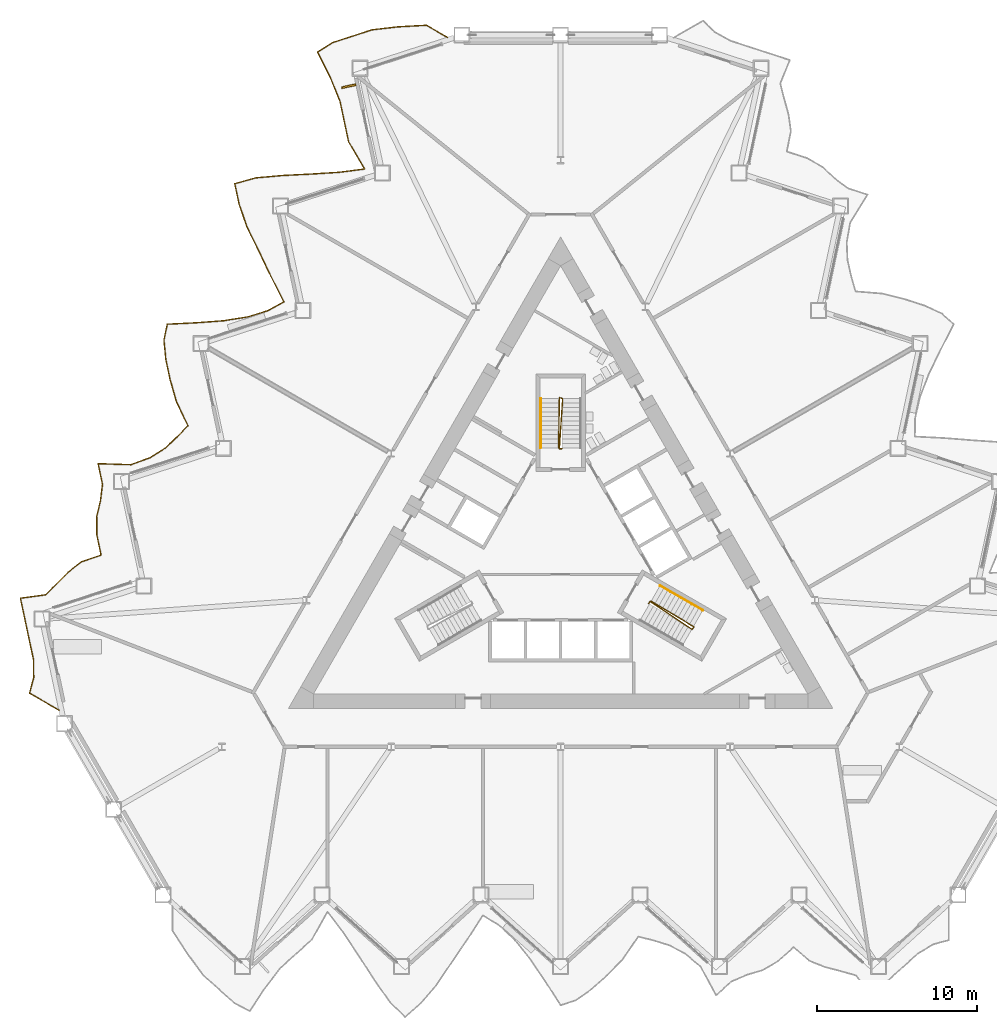
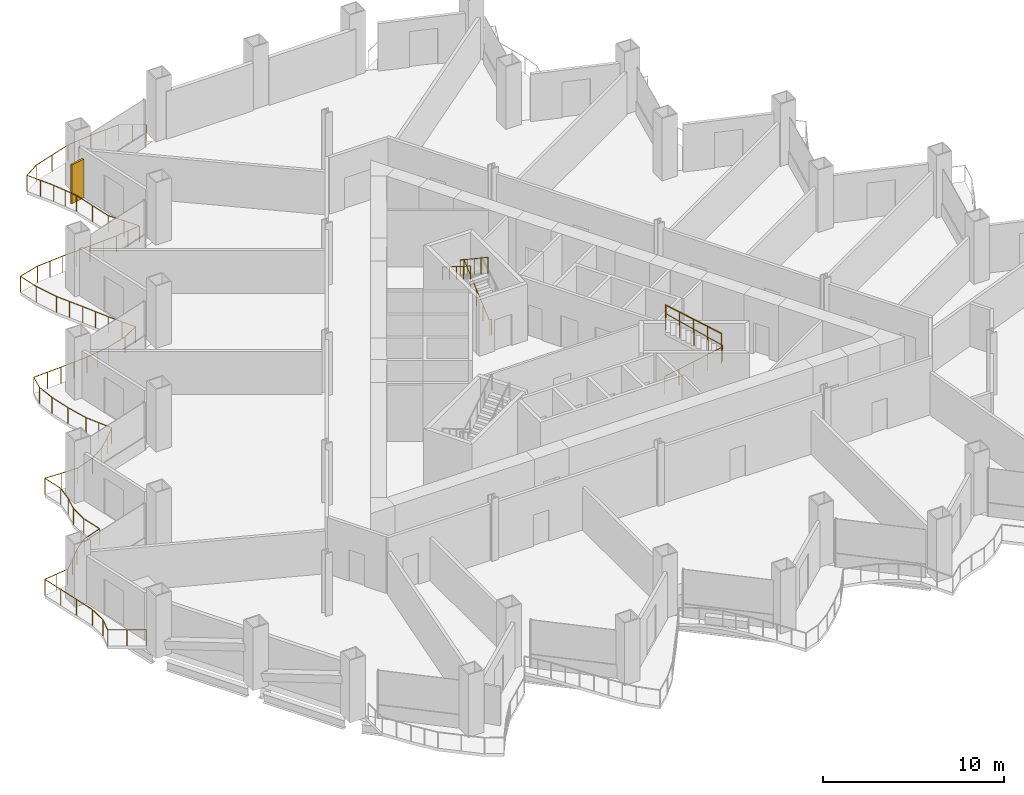
# One storey, part 18 of 21: 5 railings, 1 shading device.
"""IFC4 building model written with IfcOpenShell, lengths in metres."""

from ifc_helpers import new_model, si_unit, direction, frame, origin, origin_2d, place, context, subcontext, project, spatial, rectangle, circle, extrude, material, layer, layer_set, type_object, element, save


model = new_model("IFC4")

# Units and contexts
model_context = context("Model", 3, precision=1e-05, world=origin(), true_north=direction((0.0, 1.0)))
body_context = subcontext(model_context, "Body", "Model", "MODEL_VIEW")
ifc_project = project(units=[si_unit("LENGTHUNIT", "METRE"), si_unit("AREAUNIT", "SQUARE_METRE"), si_unit("VOLUMEUNIT", "CUBIC_METRE"), si_unit("PLANEANGLEUNIT", "RADIAN"), si_unit("MASSUNIT", "GRAM", prefix="KILO")], contexts=[model_context])

# Site, building, storey
site_placement = place(None, origin())
site = spatial("IfcSite", under=ifc_project, at=site_placement, CompositionType="ELEMENT")
building_placement = place(site_placement, origin())
building = spatial("IfcBuilding", under=site, at=building_placement, Name="Cormorant Prow Tower", CompositionType="ELEMENT")
storey_placement = place(building_placement, frame((0.0, 0.0, 42.60009765625)))
storey = spatial("IfcBuildingStorey", under=building, at=storey_placement, Name="L08", CompositionType="ELEMENT", Elevation=42.60009765625)

# Railings
ifc_material_1 = material(Name="Aluminium 6063-T6", Category="aluminium")
railing_type_1 = type_object("IfcRailingType", Name="Balcony guard 1100", PredefinedType="GUARDRAIL", material=ifc_material_1)
railing_1_placement = place(storey_placement, frame((-7.06591796875, 32.09619140625, 0.0)))
element("IfcRailing", 1, at=railing_1_placement, inside=storey, type_object=railing_type_1, Name="Balcony guard WNW", PredefinedType="GUARDRAIL", context=body_context, shape_type="SweptSolid", body=[
    extrude(circle(Radius=0.02392578125, at=origin_2d()), frame((0.0, 0.0, 1.076171875), z_axis=(-0.865990296034, 0.500060803479, 0.0), x_axis=(-0.500060803479, -0.865990296034, 0.0)), (0.0, 0.0, 1.0), 1.519775390625),
    extrude(circle(Radius=0.02392578125, at=origin_2d()), frame((-1.316162109375, 0.760009765625, 1.076171875), z_axis=(-0.998517338531, -0.054434590592, 0.0), x_axis=(0.054434590592, -0.998517338531, 0.0)), (0.0, 0.0, 1.0), 1.776123046875),
    extrude(circle(Radius=0.02392578125, at=origin_2d()), frame((-3.089599609375, 0.663330078125, 1.076171875), z_axis=(-0.993522534747, -0.11363526279, 0.0), x_axis=(0.11363526279, -0.993522534747, 0.0)), (0.0, 0.0, 1.0), 1.630615234375),
    extrude(circle(Radius=0.02392578125, at=origin_2d()), frame((-4.709716796875, 0.47802734375, 1.076171875), z_axis=(-0.951049180551, -0.309039570562, 0.0), x_axis=(0.309039570562, -0.951049180551, 0.0)), (0.0, 0.0, 1.0), 1.305908203125),
    extrude(circle(Radius=0.02392578125, at=origin_2d()), frame((-5.95166015625, 0.074462890625, 1.076171875), z_axis=(-0.951067031183, -0.308984631004, 0.0), x_axis=(0.308984631004, -0.951067031183, 0.0)), (0.0, 0.0, 1.0), 1.30615234375),
    extrude(circle(Radius=0.02392578125, at=origin_2d()), frame((-7.19384765625, -0.3291015625, 1.076171875), z_axis=(-0.843698219054, -0.536817767185, 0.0), x_axis=(0.536817767185, -0.843698219054, 0.0)), (0.0, 0.0, 1.0), 1.0947265625),
    extrude(circle(Radius=0.02392578125, at=origin_2d()), frame((-8.117431640625, -0.916748046875, 1.076171875), z_axis=(0.44887173014, -0.893596200686, 0.0), x_axis=(0.893596200686, 0.44887173014, 0.0)), (0.0, 0.0, 1.0), 1.76611328125),
    extrude(circle(Radius=0.02392578125, at=origin_2d()), frame((-7.32470703125, -2.494873046875, 1.076171875), z_axis=(0.378968463583, -0.925409586945, 0.0), x_axis=(0.925409586945, 0.378968463583, 0.0)), (0.0, 0.0, 1.0), 1.586181640625),
    extrude(circle(Radius=0.02392578125, at=origin_2d()), frame((-6.7236328125, -3.962646484375, 1.076171875), z_axis=(0.207894531291, -0.978151247946, 0.0), x_axis=(0.978151247946, 0.207894531291, 0.0)), (0.0, 0.0, 1.0), 1.305908203125),
    extrude(circle(Radius=0.02392578125, at=origin_2d()), frame((-6.4521484375, -5.239990234375, 1.076171875), z_axis=(0.207856520253, -0.978159325973, 0.0), x_axis=(0.978159325973, 0.207856520253, 0.0)), (0.0, 0.0, 1.0), 1.30615234375),
    extrude(circle(Radius=0.02392578125, at=origin_2d()), frame((-6.1806640625, -6.517578125, 1.076171875), z_axis=(0.507982665152, -0.861367292103, 0.0), x_axis=(0.861367292103, 0.507982665152, 0.0)), (0.0, 0.0, 1.0), 1.972412109375),
    extrude(circle(Radius=0.02392578125, at=origin_2d()), frame((-5.1787109375, -8.216552734375, 1.076171875), z_axis=(-0.991647214586, -0.128979850379, 0.0), x_axis=(0.128979850379, -0.991647214586, 0.0)), (0.0, 0.0, 1.0), 1.59765625),
    extrude(circle(Radius=0.02392578125, at=origin_2d()), frame((-6.762939453125, -8.422607421875, 1.076171875), z_axis=(-0.998037387878, -0.062620862318, 0.0), x_axis=(0.062620862318, -0.998037387878, 0.0)), (0.0, 0.0, 1.0), 1.75439453125),
    extrude(circle(Radius=0.02392578125, at=origin_2d()), frame((-8.513916015625, -8.532470703125, 1.076171875), z_axis=(-0.998758457633, -0.04981509115, 0.0), x_axis=(0.04981509115, -0.998758457633, 0.0)), (0.0, 0.0, 1.0), 1.788818359375),
    extrude(circle(Radius=0.02392578125, at=origin_2d()), frame((-10.300537109375, -8.62158203125, 1.076171875), z_axis=(-0.996079436676, -0.088463302169, 0.0), x_axis=(0.088463302169, -0.996079436676, 0.0)), (0.0, 0.0, 1.0), 1.68896484375),
    extrude(circle(Radius=0.02392578125, at=origin_2d()), frame((-11.98291015625, -8.77099609375, 1.076171875), z_axis=(-0.962750578639, -0.270391056304, 0.0), x_axis=(0.270391056304, -0.962750578639, 0.0)), (0.0, 0.0, 1.0), 1.356201171875),
    extrude(circle(Radius=0.02392578125, at=origin_2d()), frame((-13.28857421875, -9.1376953125, 1.076171875), z_axis=(0.207856520253, -0.978159325973, 0.0), x_axis=(0.978159325973, 0.207856520253, 0.0)), (0.0, 0.0, 1.0), 1.30615234375),
    extrude(circle(Radius=0.02392578125, at=origin_2d()), frame((-13.01708984375, -10.415283203125, 1.076171875), z_axis=(0.324104480533, -0.946021292413, 0.0), x_axis=(0.946021292413, 0.324104480533, 0.0)), (0.0, 0.0, 1.0), 1.476318359375),
    extrude(circle(Radius=0.02392578125, at=origin_2d()), frame((-12.53857421875, -11.81201171875, 1.076171875), z_axis=(0.440130608618, -0.897933765574, 0.0), x_axis=(0.897933765574, 0.440130608618, 0.0)), (0.0, 0.0, 1.0), 1.74072265625),
    extrude(circle(Radius=0.02392578125, at=origin_2d()), frame((-11.7724609375, -13.375, 1.076171875), z_axis=(0.431027312147, -0.902338881011, 0.0), x_axis=(0.902338881011, 0.431027312147, 0.0)), (0.0, 0.0, 1.0), 1.715087890625),
    extrude(circle(Radius=0.02392578125, at=origin_2d()), frame((-11.033203125, -14.922607421875, 1.076171875), z_axis=(0.455019487551, -0.890481479846, 0.0), x_axis=(0.890481479846, 0.455019487551, 0.0)), (0.0, 0.0, 1.0), 1.78515625),
    extrude(circle(Radius=0.02392578125, at=origin_2d()), frame((-10.220947265625, -16.51220703125, 1.076171875), z_axis=(-0.87344335233, -0.486925774908, 0.0), x_axis=(0.486925774908, -0.87344335233, 0.0)), (0.0, 0.0, 1.0), 1.130615234375),
    extrude(circle(Radius=0.02392578125, at=origin_2d()), frame((-11.20849609375, -17.062744140625, 1.076171875), z_axis=(-0.954404207013, -0.29851735232, 0.0), x_axis=(0.29851735232, -0.954404207013, 0.0)), (0.0, 0.0, 1.0), 1.319091796875),
    extrude(circle(Radius=0.02392578125, at=origin_2d()), frame((-12.467529296875, -17.45654296875, 1.076171875), z_axis=(-0.987908612353, -0.155037329822, 0.0), x_axis=(0.155037329822, -0.987908612353, 0.0)), (0.0, 0.0, 1.0), 1.544921875),
    extrude(circle(Radius=0.02392578125, at=origin_2d()), frame((-13.99365234375, -17.696044921875, 1.076171875), z_axis=(-0.997256543763, -0.07402287431, 0.0), x_axis=(0.07402287431, -0.997256543763, 0.0)), (0.0, 0.0, 1.0), 1.724853515625),
    extrude(circle(Radius=0.02392578125, at=origin_2d()), frame((-15.7138671875, -17.82373046875, 1.076171875), z_axis=(-0.998837748193, -0.048199095265, 0.0), x_axis=(0.048199095265, -0.998837748193, 0.0)), (0.0, 0.0, 1.0), 1.793212890625),
    extrude(circle(Radius=0.02392578125, at=origin_2d()), frame((-17.5048828125, -17.91015625, 1.076171875), z_axis=(-0.203000450605, -0.979178644096, 0.0), x_axis=(0.979178644096, -0.203000450605, 0.0)), (0.0, 0.0, 1.0), 1.022216796875),
    extrude(circle(Radius=0.02392578125, at=origin_2d()), frame((-17.71240234375, -18.9111328125, 1.076171875), z_axis=(0.09583336332, -0.995397391234, 0.0), x_axis=(0.995397391234, 0.09583336332, 0.0)), (0.0, 0.0, 1.0), 1.192138671875),
    extrude(circle(Radius=0.02392578125, at=origin_2d()), frame((-17.59814453125, -20.097900390625, 1.076171875), z_axis=(0.207894531291, -0.978151247946, 0.0), x_axis=(0.978151247946, 0.207894531291, 0.0)), (0.0, 0.0, 1.0), 1.305908203125),
    extrude(circle(Radius=0.02392578125, at=origin_2d()), frame((-17.32666015625, -21.375244140625, 1.076171875), z_axis=(0.271939345535, -0.962314393715, 0.0), x_axis=(0.962314393715, 0.271939345535, 0.0)), (0.0, 0.0, 1.0), 1.3916015625),
    extrude(circle(Radius=0.02392578125, at=origin_2d()), frame((-16.9482421875, -22.71435546875, 1.076171875), z_axis=(0.428295338336, -0.903638812336, 0.0), x_axis=(0.903638812336, 0.428295338336, 0.0)), (0.0, 0.0, 1.0), 1.707275390625),
    extrude(circle(Radius=0.02392578125, at=origin_2d()), frame((-16.217041015625, -24.257080078125, 1.076171875), z_axis=(-0.694049726297, -0.719927063964, 0.0), x_axis=(0.719927063964, -0.694049726297, 0.0)), (0.0, 0.0, 1.0), 1.0),
    extrude(circle(Radius=0.02392578125, at=origin_2d()), frame((-16.9111328125, -24.97705078125, 1.076171875), z_axis=(-0.734877098339, -0.678200302519, 0.0), x_axis=(0.678200302519, -0.734877098339, 0.0)), (0.0, 0.0, 1.0), 1.0166015625),
    extrude(circle(Radius=0.02392578125, at=origin_2d()), frame((-17.658203125, -25.66650390625, 1.076171875), z_axis=(-0.845499485471, -0.533976235491, 0.0), x_axis=(0.533976235491, -0.845499485471, 0.0)), (0.0, 0.0, 1.0), 1.096435546875),
    extrude(circle(Radius=0.02392578125, at=origin_2d()), frame((-18.585205078125, -26.251953125, 1.076171875), z_axis=(-0.9391608117, -0.34347775731, 0.0), x_axis=(0.34347775731, -0.9391608117, 0.0)), (0.0, 0.0, 1.0), 1.26513671875),
    extrude(circle(Radius=0.02392578125, at=origin_2d()), frame((-19.7734375, -26.6865234375, 1.076171875), z_axis=(-0.999517861856, 0.031049055218, 0.0), x_axis=(-0.031049055218, -0.999517861856, 0.0)), (0.0, 0.0, 1.0), 2.05224609375),
    extrude(circle(Radius=0.02392578125, at=origin_2d()), frame((-21.82470703125, -26.622802734375, 1.076171875), z_axis=(0.207856520253, -0.978159325973, 0.0), x_axis=(0.978159325973, 0.207856520253, 0.0)), (0.0, 0.0, 1.0), 1.30615234375),
    extrude(circle(Radius=0.02392578125, at=origin_2d()), frame((-21.55322265625, -27.900390625, 1.076171875), z_axis=(-0.117887281495, -0.993026982947, 0.0), x_axis=(0.993026982947, -0.117887281495, 0.0)), (0.0, 0.0, 1.0), 1.05615234375),
    extrude(circle(Radius=0.02392578125, at=origin_2d()), frame((-21.677734375, -28.94921875, 1.076171875), z_axis=(-0.235088794818, -0.971973898081, 0.0), x_axis=(0.971973898081, -0.235088794818, 0.0)), (0.0, 0.0, 1.0), 1.011474609375),
    extrude(circle(Radius=0.02392578125, at=origin_2d()), frame((-21.91552734375, -29.932373046875, 1.076171875), z_axis=(0.006942770397, -0.999975898679, 0.0), x_axis=(0.999975898679, 0.006942770397, 0.0)), (0.0, 0.0, 1.0), 1.125244140625),
    extrude(circle(Radius=0.02392578125, at=origin_2d()), frame((-21.90771484375, -31.0576171875, 1.076171875), z_axis=(0.207856520253, -0.978159325973, 0.0), x_axis=(0.978159325973, 0.207856520253, 0.0)), (0.0, 0.0, 1.0), 1.30615234375),
    extrude(circle(Radius=0.02392578125, at=origin_2d()), frame((-21.63623046875, -32.335205078125, 1.076171875), z_axis=(-0.946870718951, -0.321614430013, 0.0), x_axis=(0.321614430013, -0.946870718951, 0.0)), (0.0, 0.0, 1.0), 1.29052734375),
    extrude(circle(Radius=0.02392578125, at=origin_2d()), frame((-22.858154296875, -32.750244140625, 1.076171875), z_axis=(-0.787918275033, -0.615779824182, 0.0), x_axis=(0.615779824182, -0.787918275033, 0.0)), (0.0, 0.0, 1.0), 1.046630859375),
    extrude(circle(Radius=0.02392578125, at=origin_2d()), frame((-23.682861328125, -33.394775390625, 1.076171875), z_axis=(-0.701484416498, -0.712684792465, 0.0), x_axis=(0.712684792465, -0.701484416498, 0.0)), (0.0, 0.0, 1.0), 1.002685546875),
    extrude(circle(Radius=0.02392578125, at=origin_2d()), frame((-24.38623046875, -34.109375, 1.076171875), z_axis=(-0.714815599377, -0.699312990647, 0.0), x_axis=(0.699312990647, -0.714815599377, 0.0)), (0.0, 0.0, 1.0), 1.0078125),
    extrude(circle(Radius=0.02392578125, at=origin_2d()), frame((-25.106689453125, -34.814208984375, 1.076171875), z_axis=(-0.990858260816, -0.134907030848, 0.0), x_axis=(0.134907030848, -0.990858260816, 0.0)), (0.0, 0.0, 1.0), 1.585205078125),
    extrude(circle(Radius=0.02392578125, at=origin_2d()), frame((-26.677490234375, -35.028076171875, 1.076171875), z_axis=(0.208073396131, -0.978113215238, 0.0), x_axis=(0.978113215238, 0.208073396131, 0.0)), (0.0, 0.0, 1.0), 1.305908203125),
    extrude(circle(Radius=0.02392578125, at=origin_2d()), frame((-26.40576171875, -36.305419921875, 1.076171875), z_axis=(0.207856520253, -0.978159325973, 0.0), x_axis=(0.978159325973, 0.207856520253, 0.0)), (0.0, 0.0, 1.0), 1.30615234375),
    extrude(circle(Radius=0.02392578125, at=origin_2d()), frame((-26.13427734375, -37.5830078125, 1.076171875), z_axis=(0.207894531291, -0.978151247946, 0.0), x_axis=(0.978151247946, 0.207894531291, 0.0)), (0.0, 0.0, 1.0), 1.305908203125),
    extrude(circle(Radius=0.02392578125, at=origin_2d()), frame((-25.86279296875, -38.8603515625, 1.076171875), z_axis=(0.012971881448, -0.999915861606, 0.0), x_axis=(0.999915861606, 0.012971881448, 0.0)), (0.0, 0.0, 1.0), 1.129150390625),
    extrude(circle(Radius=0.02392578125, at=origin_2d()), frame((-25.84814453125, -39.989501953125, 1.076171875), z_axis=(-0.258796817064, -0.965931782, 0.0), x_axis=(0.965931782, -0.258796817064, 0.0)), (0.0, 0.0, 1.0), 1.004638671875),
    extrude(circle(Radius=0.02392578125, at=origin_2d()), frame((-26.108154296875, -40.9599609375, 1.076171875), z_axis=(0.866027189425, -0.499996907167, 0.0), x_axis=(0.499996907167, 0.866027189425, 0.0)), (0.0, 0.0, 1.0), 2.13037109375),
    extrude(circle(Radius=0.02099609375, at=origin_2d()), origin(), (0.0, 0.0, 1.0), 1.052001953125),
    extrude(circle(Radius=0.02099609375, at=origin_2d()), frame((-0.658203125, 0.3798828125, 0.0)), (0.0, 0.0, 1.0), 1.052001953125),
    extrude(circle(Radius=0.02099609375, at=origin_2d()), frame((-1.316162109375, 0.760009765625, 0.0)), (0.0, 0.0, 1.0), 1.052001953125),
    extrude(circle(Radius=0.02099609375, at=origin_2d()), frame((-2.202880859375, 0.711669921875, 0.0)), (0.0, 0.0, 1.0), 1.052001953125),
    extrude(circle(Radius=0.02099609375, at=origin_2d()), frame((-3.089599609375, 0.663330078125, 0.0)), (0.0, 0.0, 1.0), 1.052001953125),
    extrude(circle(Radius=0.02099609375, at=origin_2d()), frame((-3.899658203125, 0.57080078125, 0.0)), (0.0, 0.0, 1.0), 1.052001953125),
    extrude(circle(Radius=0.02099609375, at=origin_2d()), frame((-4.709716796875, 0.47802734375, 0.0)), (0.0, 0.0, 1.0), 1.052001953125),
    extrude(circle(Radius=0.02099609375, at=origin_2d()), frame((-5.95166015625, 0.074462890625, 0.0)), (0.0, 0.0, 1.0), 1.052001953125),
    extrude(circle(Radius=0.02099609375, at=origin_2d()), frame((-7.19384765625, -0.3291015625, 0.0)), (0.0, 0.0, 1.0), 1.052001953125),
    extrude(circle(Radius=0.02099609375, at=origin_2d()), frame((-8.117431640625, -0.916748046875, 0.0)), (0.0, 0.0, 1.0), 1.052001953125),
    extrude(circle(Radius=0.02099609375, at=origin_2d()), frame((-7.72119140625, -1.705810546875, 0.0)), (0.0, 0.0, 1.0), 1.052001953125),
    extrude(circle(Radius=0.02099609375, at=origin_2d()), frame((-7.32470703125, -2.494873046875, 0.0)), (0.0, 0.0, 1.0), 1.052001953125),
    extrude(circle(Radius=0.02099609375, at=origin_2d()), frame((-7.024169921875, -3.228759765625, 0.0)), (0.0, 0.0, 1.0), 1.052001953125),
    extrude(circle(Radius=0.02099609375, at=origin_2d()), frame((-6.7236328125, -3.962646484375, 0.0)), (0.0, 0.0, 1.0), 1.052001953125),
    extrude(circle(Radius=0.02099609375, at=origin_2d()), frame((-6.4521484375, -5.239990234375, 0.0)), (0.0, 0.0, 1.0), 1.052001953125),
    extrude(circle(Radius=0.02099609375, at=origin_2d()), frame((-6.1806640625, -6.517578125, 0.0)), (0.0, 0.0, 1.0), 1.052001953125),
    extrude(circle(Radius=0.02099609375, at=origin_2d()), frame((-5.6796875, -7.3671875, 0.0)), (0.0, 0.0, 1.0), 1.052001953125),
    extrude(circle(Radius=0.02099609375, at=origin_2d()), frame((-5.1787109375, -8.216552734375, 0.0)), (0.0, 0.0, 1.0), 1.052001953125),
    extrude(circle(Radius=0.02099609375, at=origin_2d()), frame((-5.970703125, -8.319580078125, 0.0)), (0.0, 0.0, 1.0), 1.052001953125),
    extrude(circle(Radius=0.02099609375, at=origin_2d()), frame((-6.762939453125, -8.422607421875, 0.0)), (0.0, 0.0, 1.0), 1.052001953125),
    extrude(circle(Radius=0.02099609375, at=origin_2d()), frame((-7.638427734375, -8.4775390625, 0.0)), (0.0, 0.0, 1.0), 1.052001953125),
    extrude(circle(Radius=0.02099609375, at=origin_2d()), frame((-8.513916015625, -8.532470703125, 0.0)), (0.0, 0.0, 1.0), 1.052001953125),
    extrude(circle(Radius=0.02099609375, at=origin_2d()), frame((-9.4072265625, -8.5771484375, 0.0)), (0.0, 0.0, 1.0), 1.052001953125),
    extrude(circle(Radius=0.02099609375, at=origin_2d()), frame((-10.300537109375, -8.62158203125, 0.0)), (0.0, 0.0, 1.0), 1.052001953125),
    extrude(circle(Radius=0.02099609375, at=origin_2d()), frame((-11.1416015625, -8.6962890625, 0.0)), (0.0, 0.0, 1.0), 1.052001953125),
    extrude(circle(Radius=0.02099609375, at=origin_2d()), frame((-11.98291015625, -8.77099609375, 0.0)), (0.0, 0.0, 1.0), 1.052001953125),
    extrude(circle(Radius=0.02099609375, at=origin_2d()), frame((-13.28857421875, -9.1376953125, 0.0)), (0.0, 0.0, 1.0), 1.052001953125),
    extrude(circle(Radius=0.02099609375, at=origin_2d()), frame((-13.01708984375, -10.415283203125, 0.0)), (0.0, 0.0, 1.0), 1.052001953125),
    extrude(circle(Radius=0.02099609375, at=origin_2d()), frame((-12.53857421875, -11.81201171875, 0.0)), (0.0, 0.0, 1.0), 1.052001953125),
    extrude(circle(Radius=0.02099609375, at=origin_2d()), frame((-12.155517578125, -12.593505859375, 0.0)), (0.0, 0.0, 1.0), 1.052001953125),
    extrude(circle(Radius=0.02099609375, at=origin_2d()), frame((-11.7724609375, -13.375, 0.0)), (0.0, 0.0, 1.0), 1.052001953125),
    extrude(circle(Radius=0.02099609375, at=origin_2d()), frame((-11.40283203125, -14.14892578125, 0.0)), (0.0, 0.0, 1.0), 1.052001953125),
    extrude(circle(Radius=0.02099609375, at=origin_2d()), frame((-11.033203125, -14.922607421875, 0.0)), (0.0, 0.0, 1.0), 1.052001953125),
    extrude(circle(Radius=0.02099609375, at=origin_2d()), frame((-10.626953125, -15.71728515625, 0.0)), (0.0, 0.0, 1.0), 1.052001953125),
    extrude(circle(Radius=0.02099609375, at=origin_2d()), frame((-10.220947265625, -16.51220703125, 0.0)), (0.0, 0.0, 1.0), 1.052001953125),
    extrude(circle(Radius=0.02099609375, at=origin_2d()), frame((-11.20849609375, -17.062744140625, 0.0)), (0.0, 0.0, 1.0), 1.052001953125),
    extrude(circle(Radius=0.02099609375, at=origin_2d()), frame((-12.467529296875, -17.45654296875, 0.0)), (0.0, 0.0, 1.0), 1.052001953125),
    extrude(circle(Radius=0.02099609375, at=origin_2d()), frame((-13.23046875, -17.576171875, 0.0)), (0.0, 0.0, 1.0), 1.052001953125),
    extrude(circle(Radius=0.02099609375, at=origin_2d()), frame((-13.99365234375, -17.696044921875, 0.0)), (0.0, 0.0, 1.0), 1.052001953125),
    extrude(circle(Radius=0.02099609375, at=origin_2d()), frame((-14.853759765625, -17.759765625, 0.0)), (0.0, 0.0, 1.0), 1.052001953125),
    extrude(circle(Radius=0.02099609375, at=origin_2d()), frame((-15.7138671875, -17.82373046875, 0.0)), (0.0, 0.0, 1.0), 1.052001953125),
    extrude(circle(Radius=0.02099609375, at=origin_2d()), frame((-16.609375, -17.866943359375, 0.0)), (0.0, 0.0, 1.0), 1.052001953125),
    extrude(circle(Radius=0.02099609375, at=origin_2d()), frame((-17.5048828125, -17.91015625, 0.0)), (0.0, 0.0, 1.0), 1.052001953125),
    extrude(circle(Radius=0.02099609375, at=origin_2d()), frame((-17.71240234375, -18.9111328125, 0.0)), (0.0, 0.0, 1.0), 1.052001953125),
    extrude(circle(Radius=0.02099609375, at=origin_2d()), frame((-17.59814453125, -20.097900390625, 0.0)), (0.0, 0.0, 1.0), 1.052001953125),
    extrude(circle(Radius=0.02099609375, at=origin_2d()), frame((-17.32666015625, -21.375244140625, 0.0)), (0.0, 0.0, 1.0), 1.052001953125),
    extrude(circle(Radius=0.02099609375, at=origin_2d()), frame((-16.9482421875, -22.71435546875, 0.0)), (0.0, 0.0, 1.0), 1.052001953125),
    extrude(circle(Radius=0.02099609375, at=origin_2d()), frame((-16.58251953125, -23.48583984375, 0.0)), (0.0, 0.0, 1.0), 1.052001953125),
    extrude(circle(Radius=0.02099609375, at=origin_2d()), frame((-16.217041015625, -24.257080078125, 0.0)), (0.0, 0.0, 1.0), 1.052001953125),
    extrude(circle(Radius=0.02099609375, at=origin_2d()), frame((-16.9111328125, -24.97705078125, 0.0)), (0.0, 0.0, 1.0), 1.052001953125),
    extrude(circle(Radius=0.02099609375, at=origin_2d()), frame((-17.658203125, -25.66650390625, 0.0)), (0.0, 0.0, 1.0), 1.052001953125),
    extrude(circle(Radius=0.02099609375, at=origin_2d()), frame((-18.585205078125, -26.251953125, 0.0)), (0.0, 0.0, 1.0), 1.052001953125),
    extrude(circle(Radius=0.02099609375, at=origin_2d()), frame((-19.7734375, -26.6865234375, 0.0)), (0.0, 0.0, 1.0), 1.052001953125),
    extrude(circle(Radius=0.02099609375, at=origin_2d()), frame((-20.799072265625, -26.65478515625, 0.0)), (0.0, 0.0, 1.0), 1.052001953125),
    extrude(circle(Radius=0.02099609375, at=origin_2d()), frame((-21.82470703125, -26.622802734375, 0.0)), (0.0, 0.0, 1.0), 1.052001953125),
    extrude(circle(Radius=0.02099609375, at=origin_2d()), frame((-21.55322265625, -27.900390625, 0.0)), (0.0, 0.0, 1.0), 1.052001953125),
    extrude(circle(Radius=0.02099609375, at=origin_2d()), frame((-21.677734375, -28.94921875, 0.0)), (0.0, 0.0, 1.0), 1.052001953125),
    extrude(circle(Radius=0.02099609375, at=origin_2d()), frame((-21.91552734375, -29.932373046875, 0.0)), (0.0, 0.0, 1.0), 1.052001953125),
    extrude(circle(Radius=0.02099609375, at=origin_2d()), frame((-21.90771484375, -31.0576171875, 0.0)), (0.0, 0.0, 1.0), 1.052001953125),
    extrude(circle(Radius=0.02099609375, at=origin_2d()), frame((-21.63623046875, -32.335205078125, 0.0)), (0.0, 0.0, 1.0), 1.052001953125),
    extrude(circle(Radius=0.02099609375, at=origin_2d()), frame((-22.858154296875, -32.750244140625, 0.0)), (0.0, 0.0, 1.0), 1.052001953125),
    extrude(circle(Radius=0.02099609375, at=origin_2d()), frame((-23.682861328125, -33.394775390625, 0.0)), (0.0, 0.0, 1.0), 1.052001953125),
    extrude(circle(Radius=0.02099609375, at=origin_2d()), frame((-24.38623046875, -34.109375, 0.0)), (0.0, 0.0, 1.0), 1.052001953125),
    extrude(circle(Radius=0.02099609375, at=origin_2d()), frame((-25.106689453125, -34.814208984375, 0.0)), (0.0, 0.0, 1.0), 1.052001953125),
    extrude(circle(Radius=0.02099609375, at=origin_2d()), frame((-25.89208984375, -34.921142578125, 0.0)), (0.0, 0.0, 1.0), 1.052001953125),
    extrude(circle(Radius=0.02099609375, at=origin_2d()), frame((-26.677490234375, -35.028076171875, 0.0)), (0.0, 0.0, 1.0), 1.052001953125),
    extrude(circle(Radius=0.02099609375, at=origin_2d()), frame((-26.40576171875, -36.305419921875, 0.0)), (0.0, 0.0, 1.0), 1.052001953125),
    extrude(circle(Radius=0.02099609375, at=origin_2d()), frame((-26.13427734375, -37.5830078125, 0.0)), (0.0, 0.0, 1.0), 1.052001953125),
    extrude(circle(Radius=0.02099609375, at=origin_2d()), frame((-25.86279296875, -38.8603515625, 0.0)), (0.0, 0.0, 1.0), 1.052001953125),
    extrude(circle(Radius=0.02099609375, at=origin_2d()), frame((-25.84814453125, -39.989501953125, 0.0)), (0.0, 0.0, 1.0), 1.052001953125),
    extrude(circle(Radius=0.02099609375, at=origin_2d()), frame((-26.108154296875, -40.9599609375, 0.0)), (0.0, 0.0, 1.0), 1.052001953125),
    extrude(circle(Radius=0.02099609375, at=origin_2d()), frame((-25.185546875, -41.49267578125, 0.0)), (0.0, 0.0, 1.0), 1.052001953125),
    extrude(circle(Radius=0.02099609375, at=origin_2d()), frame((-24.26318359375, -42.025146484375, 0.0)), (0.0, 0.0, 1.0), 1.052001953125),
])
ifc_material_2 = material(Name="Stainless steel", Category="steel")
railing_type_2 = type_object("IfcRailingType", Name="Stair guard 1100", PredefinedType="GUARDRAIL", material=ifc_material_2)
railing_2_placement = place(storey_placement, frame((5.510009765625, -3.267822265625, 0.0)))
element("IfcRailing", 2, at=railing_2_placement, inside=storey, type_object=railing_type_2, Name="L08 ST2 stair guard 1", PredefinedType="GUARDRAIL", context=body_context, shape_type="SweptSolid", body=[
    extrude(circle(Radius=0.02392578125, at=origin_2d()), frame((0.0, 0.0, 1.076171875), z_axis=(0.501036270542, 0.865426285481, 0.0), x_axis=(-0.865426285481, 0.501036270542, 0.0)), (0.0, 0.0, 1.0), 0.150146484375),
    extrude(circle(Radius=0.02392578125, at=origin_2d()), frame((0.0751953125, 0.1298828125, 1.076171875), z_axis=(0.691655524431, -0.460543096787, 0.55633864824), x_axis=(0.554233058506, 0.832361530141, 0.0)), (0.0, 0.0, 1.0), 3.7744140625),
    extrude(circle(Radius=0.02392578125, at=origin_2d()), frame((2.685791015625, -1.6083984375, 3.17578125), z_axis=(0.695164929852, 0.718850276695, 0.0), x_axis=(-0.718850276695, 0.695164929852, 0.0)), (0.0, 0.0, 1.0), 0.2060546875),
    extrude(circle(Radius=0.02392578125, at=origin_2d()), frame((2.8291015625, -1.460205078125, 3.17578125), z_axis=(-0.712463317363, 0.426661970256, 0.557095669117), x_axis=(-0.513773053629, -0.857926132814, 0.0)), (0.0, 0.0, 1.0), 3.769775390625),
    extrude(circle(Radius=0.02099609375, at=origin_2d()), origin(), (0.0, 0.0, 1.0), 1.052001953125),
    extrude(circle(Radius=0.02099609375, at=origin_2d()), frame((0.0751953125, 0.1298828125, 0.0)), (0.0, 0.0, 1.0), 1.052001953125),
    extrude(circle(Radius=0.02099609375, at=origin_2d()), frame((0.727783203125, -0.3046875, 0.52490234375)), (0.0, 0.0, 1.0), 1.052001953125),
    extrude(circle(Radius=0.02099609375, at=origin_2d()), frame((1.38037109375, -0.7392578125, 1.0498046875)), (0.0, 0.0, 1.0), 1.052001953125),
    extrude(circle(Radius=0.02099609375, at=origin_2d()), frame((2.033203125, -1.173828125, 1.574951171875)), (0.0, 0.0, 1.0), 1.052001953125),
    extrude(circle(Radius=0.02099609375, at=origin_2d()), frame((2.685791015625, -1.6083984375, 2.099853515625)), (0.0, 0.0, 1.0), 1.052001953125),
    extrude(circle(Radius=0.02099609375, at=origin_2d()), frame((2.8291015625, -1.460205078125, 2.099853515625)), (0.0, 0.0, 1.0), 1.052001953125),
    extrude(circle(Radius=0.02099609375, at=origin_2d()), frame((2.15771484375, -1.05810546875, 2.625)), (0.0, 0.0, 1.0), 1.052001953125),
    extrude(circle(Radius=0.02099609375, at=origin_2d()), frame((1.486328125, -0.656005859375, 3.14990234375)), (0.0, 0.0, 1.0), 1.052001953125),
    extrude(circle(Radius=0.02099609375, at=origin_2d()), frame((0.814697265625, -0.25390625, 3.6748046875)), (0.0, 0.0, 1.0), 1.052001953125),
    extrude(circle(Radius=0.02099609375, at=origin_2d()), frame((0.143310546875, 0.148193359375, 4.199951171875)), (0.0, 0.0, 1.0), 1.052001953125),
])
railing_3_placement = place(storey_placement, frame((0.074951171875, 6.40576171875, 0.0)))
element("IfcRailing", 3, at=railing_3_placement, inside=storey, type_object=railing_type_2, Name="L08 ST3 stair guard 1", PredefinedType="GUARDRAIL", context=body_context, shape_type="SweptSolid", body=[
    extrude(circle(Radius=0.02392578125, at=origin_2d()), frame((0.0, 0.0, 1.076171875), z_axis=(-1.0, 0.0, 0.0), x_axis=(0.0, -1.0, 0.0)), (0.0, 0.0, 1.0), 0.14990234375),
    extrude(circle(Radius=0.02392578125, at=origin_2d()), frame((-0.14990234375, 0.0, 1.076171875), z_axis=(0.052973824345, 0.829276437025, 0.556322177276), x_axis=(-0.997965923181, 0.063749636618, 0.0)), (0.0, 0.0, 1.0), 3.7744140625),
    extrude(circle(Radius=0.02392578125, at=origin_2d()), frame((0.050048828125, 3.130126953125, 3.17578125), z_axis=(-0.970072785993, 0.242814311512, 0.0), x_axis=(-0.242814311512, -0.970072785993, 0.0)), (0.0, 0.0, 1.0), 0.2060546875),
    extrude(circle(Radius=0.02392578125, at=origin_2d()), frame((-0.14990234375, 3.18017578125, 3.17578125), z_axis=(-0.013276620939, -0.830339302729, 0.557099967403), x_axis=(0.999872194171, -0.015987348866, 0.0)), (0.0, 0.0, 1.0), 3.769775390625),
    extrude(circle(Radius=0.02099609375, at=origin_2d()), origin(), (0.0, 0.0, 1.0), 1.052001953125),
    extrude(circle(Radius=0.02099609375, at=origin_2d()), frame((-0.14990234375, 0.0, 0.0)), (0.0, 0.0, 1.0), 1.052001953125),
    extrude(circle(Radius=0.02099609375, at=origin_2d()), frame((-0.099853515625, 0.782470703125, 0.52490234375)), (0.0, 0.0, 1.0), 1.052001953125),
    extrude(circle(Radius=0.02099609375, at=origin_2d()), frame((-0.0498046875, 1.56494140625, 1.0498046875)), (0.0, 0.0, 1.0), 1.052001953125),
    extrude(circle(Radius=0.02099609375, at=origin_2d()), frame((0.0, 2.34765625, 1.574951171875)), (0.0, 0.0, 1.0), 1.052001953125),
    extrude(circle(Radius=0.02099609375, at=origin_2d()), frame((0.050048828125, 3.130126953125, 2.099853515625)), (0.0, 0.0, 1.0), 1.052001953125),
    extrude(circle(Radius=0.02099609375, at=origin_2d()), frame((-0.14990234375, 3.18017578125, 2.099853515625)), (0.0, 0.0, 1.0), 1.052001953125),
    extrude(circle(Radius=0.02099609375, at=origin_2d()), frame((-0.162353515625, 2.397705078125, 2.625)), (0.0, 0.0, 1.0), 1.052001953125),
    extrude(circle(Radius=0.02099609375, at=origin_2d()), frame((-0.1748046875, 1.615234375, 3.14990234375)), (0.0, 0.0, 1.0), 1.052001953125),
    extrude(circle(Radius=0.02099609375, at=origin_2d()), frame((-0.1875, 0.83251953125, 3.6748046875)), (0.0, 0.0, 1.0), 1.052001953125),
    extrude(circle(Radius=0.02099609375, at=origin_2d()), frame((-0.199951171875, 0.050048828125, 4.199951171875)), (0.0, 0.0, 1.0), 1.052001953125),
])
ifc_material_3 = material(Name="Stainless steel", Category="steel")
railing_type_3 = type_object("IfcRailingType", Name="Stair handrail 900", PredefinedType="HANDRAIL", material=ifc_material_3)
railing_4_placement = place(storey_placement, frame((8.88037109375, -3.690673828125, 2.27490234375)))
element("IfcRailing", 4, at=railing_4_placement, inside=storey, type_object=railing_type_3, Name="L08 ST2 stair handrail 2", PredefinedType="HANDRAIL", context=body_context, shape_type="SweptSolid", body=[
    extrude(circle(Radius=0.02392578125, at=origin_2d()), frame((0.0, 0.0, 0.8759765625), z_axis=(-0.734394994316, 0.423994474112, 0.52999309264), x_axis=(-0.499992328818, -0.866029832698, 0.0)), (0.0, 0.0, 1.0), 3.63232421875),
    extrude(circle(Radius=0.02099609375, at=origin_2d()), origin(), (0.0, 0.0, 1.0), 0.851806640625),
    extrude(circle(Radius=0.02099609375, at=origin_2d()), frame((-0.6669921875, 0.385009765625, 0.481201171875)), (0.0, 0.0, 1.0), 0.851806640625),
    extrude(circle(Radius=0.02099609375, at=origin_2d()), frame((-1.333740234375, 0.77001953125, 0.96240234375)), (0.0, 0.0, 1.0), 0.851806640625),
    extrude(circle(Radius=0.02099609375, at=origin_2d()), frame((-2.00048828125, 1.155029296875, 1.44384765625)), (0.0, 0.0, 1.0), 0.851806640625),
    extrude(circle(Radius=0.02099609375, at=origin_2d()), frame((-2.66748046875, 1.5400390625, 1.925048828125)), (0.0, 0.0, 1.0), 0.851806640625),
])
railing_5_placement = place(storey_placement, frame((-1.243896484375, 9.535888671875, 2.27490234375)))
element("IfcRailing", 5, at=railing_5_placement, inside=storey, type_object=railing_type_3, Name="L08 ST3 stair handrail 2", PredefinedType="HANDRAIL", context=body_context, shape_type="SweptSolid", body=[
    extrude(circle(Radius=0.02392578125, at=origin_2d()), frame((0.0, 0.0, 0.8759765625), z_axis=(0.0, -0.847998304005, 0.529998940003), x_axis=(1.0, 0.0, 0.0)), (0.0, 0.0, 1.0), 3.632080078125),
    extrude(circle(Radius=0.02099609375, at=origin_2d()), origin(), (0.0, 0.0, 1.0), 0.851806640625),
    extrude(circle(Radius=0.02099609375, at=origin_2d()), frame((0.0, -0.77001953125, 0.481201171875)), (0.0, 0.0, 1.0), 0.851806640625),
    extrude(circle(Radius=0.02099609375, at=origin_2d()), frame((0.0, -1.5400390625, 0.96240234375)), (0.0, 0.0, 1.0), 0.851806640625),
    extrude(circle(Radius=0.02099609375, at=origin_2d()), frame((0.0, -2.31005859375, 1.44384765625)), (0.0, 0.0, 1.0), 0.851806640625),
    extrude(circle(Radius=0.02099609375, at=origin_2d()), frame((0.0, -3.080078125, 1.925048828125)), (0.0, 0.0, 1.0), 0.851806640625),
])

# Shading device
ifc_material_4 = material(Name="Terracotta", Category="masonry")
ifc_layer = layer(ifc_material_4, 0.1201171875)
ifc_layer_set = layer_set([ifc_layer], Name="Terracotta")
shading_device_type = type_object("IfcShadingDeviceType", Name="Terracotta baguette fin 120x900x2600", PredefinedType="USERDEFINED", material=ifc_layer_set)
shading_device_placement = place(storey_placement, frame((-13.228515625, 29.048583984375, -0.000244140625), z_axis=(0.0, 0.0, 1.0), x_axis=(0.207911695052, -0.978147599834, 0.0)))
element("IfcShadingDevice", 6, at=shading_device_placement, inside=storey, type_object=shading_device_type, Name="Baguette fin WNW01", ObjectType="BAGUETTE", PredefinedType="USERDEFINED", context=body_context, shape_type="SweptSolid", body=[
    extrude(rectangle(XDim=0.1201171875, YDim=0.89990234375, at=origin_2d()), origin(), (0.0, 0.0, 1.0), 2.60009765625),
])

save(model, "model.ifc")
